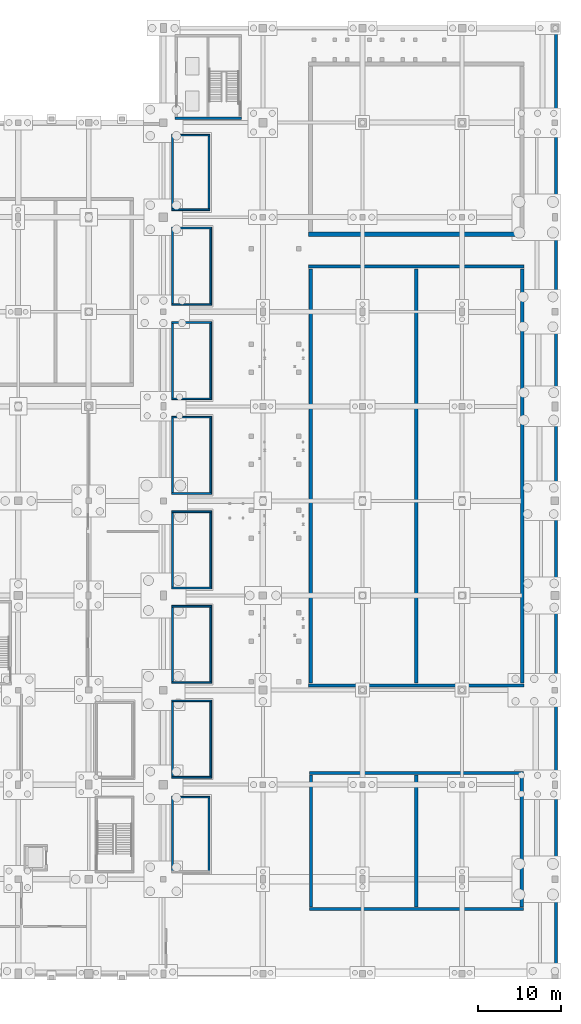
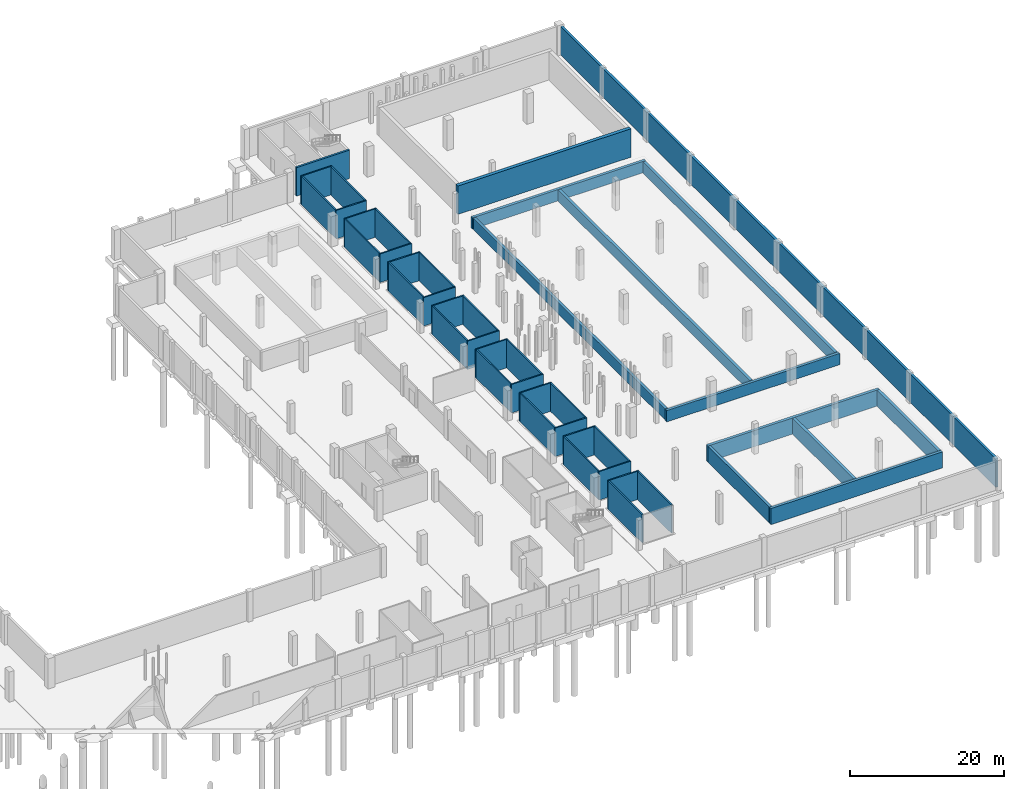
# One storey, part 28 of 34: 44 walls.
"""IFC4 building model written with IfcOpenShell, lengths in metres."""

from ifc_helpers import new_model, si_unit, direction, frame, frame_2d, origin, place, context, subcontext, project, spatial, rectangle, extrude, material, layer, layer_set, type_object, element, save


model = new_model("IFC4")

# Units and contexts
model_context = context("Model", 3, precision=1e-05, world=origin(), true_north=direction((0.0, 1.0)))
body_context = subcontext(model_context, "Body", "Model", "MODEL_VIEW")
ifc_project = project(units=[si_unit("LENGTHUNIT", "METRE"), si_unit("AREAUNIT", "SQUARE_METRE"), si_unit("VOLUMEUNIT", "CUBIC_METRE"), si_unit("PLANEANGLEUNIT", "RADIAN"), si_unit("MASSUNIT", "GRAM", prefix="KILO"), si_unit("POWERUNIT", "WATT"), si_unit("THERMODYNAMICTEMPERATUREUNIT", "KELVIN")], contexts=[model_context])

# Site, building, storey
site_placement = place(None, origin())
site = spatial("IfcSite", under=ifc_project, at=site_placement, CompositionType="ELEMENT")
building_placement = place(site_placement, origin())
building = spatial("IfcBuilding", under=site, at=building_placement, Name="Kelmbourne Parkland Aquatics Centre", CompositionType="ELEMENT")
storey_placement = place(building_placement, frame((0.0, 0.0, -4.800048828125)))
storey = spatial("IfcBuildingStorey", under=building, at=storey_placement, Name="B1", CompositionType="ELEMENT", Elevation=-4.800048828125)

# Walls
ifc_material_1 = material(Name="Concrete C40/50", Category="concrete")
ifc_layer_1 = layer(ifc_material_1, 0.300048828125)
ifc_layer_set_1 = layer_set([ifc_layer_1], Name="Concrete C40/50")
wall_type_1 = type_object("IfcWallType", Name="W-CORE-300", PredefinedType="SHEAR", material=ifc_layer_set_1)
wall_1_placement = place(storey_placement, frame((129.39990234375, 103.949951171875, 0.0), z_axis=(0.0, 0.0, 1.0), x_axis=(1.0, 0.0, 0.0)))
element("IfcWall", 1, at=wall_1_placement, inside=storey, type_object=wall_type_1, Name="North Diving Control Fire-Fighting Core south wall (B1)", PredefinedType="SHEAR", context=body_context, shape_type="SweptSolid", body=[
    extrude(rectangle(XDim=8.0, YDim=0.300048828125, at=frame_2d((4.0, 0.0))), origin(), (0.0, 0.0, 1.0), 4.52001953125),
])
ifc_material_2 = material(Name="Concrete blockwork C32/40", Category="masonry")
ifc_layer_2 = layer(ifc_material_2, 0.199951171875)
ifc_layer_set_2 = layer_set([ifc_layer_2], Name="Concrete blockwork C32/40")
wall_type_2 = type_object("IfcWallType", Name="W-FIRE-200", PredefinedType="SOLIDWALL", material=ifc_layer_set_2)
wall_2_placement = place(storey_placement, frame((129.0, 22.10009765625, 0.0), z_axis=(0.0, 0.0, 1.0), x_axis=(1.0, 0.0, 0.0)))
element("IfcWall", 2, at=wall_2_placement, inside=storey, type_object=wall_type_2, Name="Main Bowl South Concourse Exit Stair substructure wall N", PredefinedType="SOLIDWALL", context=body_context, shape_type="SweptSolid", body=[
    extrude(rectangle(XDim=4.60009765625, YDim=0.199951171875, at=frame_2d((2.300048828125, 0.0))), origin(), (0.0, 0.0, 1.0), 4.52001953125),
])
for number, where, z_axis, x_axis, name in (
    (3, (129.10009765625, 13.199951171875, 0.0), (0.0, 0.0, 1.0), (0.0, 1.0, 0.0), "Main Bowl South Concourse Exit Stair substructure wall W"),
    (4, (133.5, 13.199951171875, 0.0), (0.0, 0.0, 1.0), (0.0, 1.0, 0.0), "Main Bowl South Concourse Exit Stair substructure wall E"),
):
    element("IfcWall", number, at=place(storey_placement, frame(where, z_axis=z_axis, x_axis=x_axis)), inside=storey, type_object=wall_type_2, Name=name, PredefinedType="SOLIDWALL", context=body_context, shape_type="SweptSolid", body=[
        extrude(rectangle(XDim=8.800048828125, YDim=0.199951171875, at=frame_2d((4.39990234375, 0.0))), origin(), (0.0, 0.0, 1.0), 4.52001953125),
    ])
for number, where, z_axis, x_axis, name in (
    (5, (129.0, 92.89990234375, 0.0), (0.0, 0.0, 1.0), (1.0, 0.0, 0.0), "Main Bowl North Concourse Exit Stair substructure wall S"),
    (6, (129.0, 101.89990234375, 0.0), (0.0, 0.0, 1.0), (1.0, 0.0, 0.0), "Main Bowl North Concourse Exit Stair substructure wall N"),
):
    element("IfcWall", number, at=place(storey_placement, frame(where, z_axis=z_axis, x_axis=x_axis)), inside=storey, type_object=wall_type_2, Name=name, PredefinedType="SOLIDWALL", context=body_context, shape_type="SweptSolid", body=[
        extrude(rectangle(XDim=4.60009765625, YDim=0.199951171875, at=frame_2d((2.300048828125, 0.0))), origin(), (0.0, 0.0, 1.0), 4.52001953125),
    ])
for number, where, z_axis, x_axis, name in (
    (7, (129.10009765625, 93.0, 0.0), (0.0, 0.0, 1.0), (0.0, 1.0, 0.0), "Main Bowl North Concourse Exit Stair substructure wall W"),
    (8, (133.5, 93.0, 0.0), (0.0, 0.0, 1.0), (0.0, 1.0, 0.0), "Main Bowl North Concourse Exit Stair substructure wall E"),
):
    element("IfcWall", number, at=place(storey_placement, frame(where, z_axis=z_axis, x_axis=x_axis)), inside=storey, type_object=wall_type_2, Name=name, PredefinedType="SOLIDWALL", context=body_context, shape_type="SweptSolid", body=[
        extrude(rectangle(XDim=8.800048828125, YDim=0.199951171875, at=frame_2d((4.39990234375, 0.0))), origin(), (0.0, 0.0, 1.0), 4.52001953125),
    ])
for number, where, z_axis, x_axis, name in (
    (9, (129.0, 24.5, 0.0), (0.0, 0.0, 1.0), (1.0, 0.0, 0.0), "Spectator Bowl Exit Stair Bay 3 substructure wall S"),
    (10, (129.0, 33.699951171875, 0.0), (0.0, 0.0, 1.0), (1.0, 0.0, 0.0), "Spectator Bowl Exit Stair Bay 3 substructure wall N"),
):
    element("IfcWall", number, at=place(storey_placement, frame(where, z_axis=z_axis, x_axis=x_axis)), inside=storey, type_object=wall_type_2, Name=name, PredefinedType="SOLIDWALL", context=body_context, shape_type="SweptSolid", body=[
        extrude(rectangle(XDim=4.800048828125, YDim=0.199951171875, at=frame_2d((2.39990234375, 0.0))), origin(), (0.0, 0.0, 1.0), 4.52001953125),
    ])
for number, where, z_axis, x_axis, name in (
    (11, (129.10009765625, 24.60009765625, 0.0), (0.0, 0.0, 1.0), (0.0, 1.0, 0.0), "Spectator Bowl Exit Stair Bay 3 substructure wall W"),
    (12, (133.699951171875, 24.60009765625, 0.0), (0.0, 0.0, 1.0), (0.0, 1.0, 0.0), "Spectator Bowl Exit Stair Bay 3 substructure wall E"),
):
    element("IfcWall", number, at=place(storey_placement, frame(where, z_axis=z_axis, x_axis=x_axis)), inside=storey, type_object=wall_type_2, Name=name, PredefinedType="SOLIDWALL", context=body_context, shape_type="SweptSolid", body=[
        extrude(rectangle(XDim=9.0, YDim=0.199951171875, at=frame_2d((4.5, 0.0))), origin(), (0.0, 0.0, 1.0), 4.52001953125),
    ])
for number, where, z_axis, x_axis, name in (
    (13, (129.0, 35.89990234375, 0.0), (0.0, 0.0, 1.0), (1.0, 0.0, 0.0), "Spectator Bowl Exit Stair Bay 4 substructure wall S"),
    (14, (129.0, 45.10009765625, 0.0), (0.0, 0.0, 1.0), (1.0, 0.0, 0.0), "Spectator Bowl Exit Stair Bay 4 substructure wall N"),
):
    element("IfcWall", number, at=place(storey_placement, frame(where, z_axis=z_axis, x_axis=x_axis)), inside=storey, type_object=wall_type_2, Name=name, PredefinedType="SOLIDWALL", context=body_context, shape_type="SweptSolid", body=[
        extrude(rectangle(XDim=4.800048828125, YDim=0.199951171875, at=frame_2d((2.39990234375, 0.0))), origin(), (0.0, 0.0, 1.0), 4.52001953125),
    ])
for number, where, z_axis, x_axis, name in (
    (15, (129.10009765625, 36.0, 0.0), (0.0, 0.0, 1.0), (0.0, 1.0, 0.0), "Spectator Bowl Exit Stair Bay 4 substructure wall W"),
    (16, (133.699951171875, 36.0, 0.0), (0.0, 0.0, 1.0), (0.0, 1.0, 0.0), "Spectator Bowl Exit Stair Bay 4 substructure wall E"),
):
    element("IfcWall", number, at=place(storey_placement, frame(where, z_axis=z_axis, x_axis=x_axis)), inside=storey, type_object=wall_type_2, Name=name, PredefinedType="SOLIDWALL", context=body_context, shape_type="SweptSolid", body=[
        extrude(rectangle(XDim=9.0, YDim=0.199951171875, at=frame_2d((4.5, 0.0))), origin(), (0.0, 0.0, 1.0), 4.52001953125),
    ])
for number, where, z_axis, x_axis, name in (
    (17, (129.0, 47.300048828125, 0.0), (0.0, 0.0, 1.0), (1.0, 0.0, 0.0), "Spectator Bowl Exit Stair Bay 5 substructure wall S"),
    (18, (129.0, 56.5, 0.0), (0.0, 0.0, 1.0), (1.0, 0.0, 0.0), "Spectator Bowl Exit Stair Bay 5 substructure wall N"),
):
    element("IfcWall", number, at=place(storey_placement, frame(where, z_axis=z_axis, x_axis=x_axis)), inside=storey, type_object=wall_type_2, Name=name, PredefinedType="SOLIDWALL", context=body_context, shape_type="SweptSolid", body=[
        extrude(rectangle(XDim=4.800048828125, YDim=0.199951171875, at=frame_2d((2.39990234375, 0.0))), origin(), (0.0, 0.0, 1.0), 4.52001953125),
    ])
for number, where, z_axis, x_axis, name in (
    (19, (129.10009765625, 47.39990234375, 0.0), (0.0, 0.0, 1.0), (0.0, 1.0, 0.0), "Spectator Bowl Exit Stair Bay 5 substructure wall W"),
    (20, (133.699951171875, 47.39990234375, 0.0), (0.0, 0.0, 1.0), (0.0, 1.0, 0.0), "Spectator Bowl Exit Stair Bay 5 substructure wall E"),
):
    element("IfcWall", number, at=place(storey_placement, frame(where, z_axis=z_axis, x_axis=x_axis)), inside=storey, type_object=wall_type_2, Name=name, PredefinedType="SOLIDWALL", context=body_context, shape_type="SweptSolid", body=[
        extrude(rectangle(XDim=9.0, YDim=0.199951171875, at=frame_2d((4.5, 0.0))), origin(), (0.0, 0.0, 1.0), 4.52001953125),
    ])
for number, where, z_axis, x_axis, name in (
    (21, (129.0, 58.699951171875, 0.0), (0.0, 0.0, 1.0), (1.0, 0.0, 0.0), "Spectator Bowl Exit Stair Bay 6 substructure wall S"),
    (22, (129.0, 67.89990234375, 0.0), (0.0, 0.0, 1.0), (1.0, 0.0, 0.0), "Spectator Bowl Exit Stair Bay 6 substructure wall N"),
):
    element("IfcWall", number, at=place(storey_placement, frame(where, z_axis=z_axis, x_axis=x_axis)), inside=storey, type_object=wall_type_2, Name=name, PredefinedType="SOLIDWALL", context=body_context, shape_type="SweptSolid", body=[
        extrude(rectangle(XDim=4.800048828125, YDim=0.199951171875, at=frame_2d((2.39990234375, 0.0))), origin(), (0.0, 0.0, 1.0), 4.52001953125),
    ])
for number, where, z_axis, x_axis, name in (
    (23, (129.10009765625, 58.800048828125, 0.0), (0.0, 0.0, 1.0), (0.0, 1.0, 0.0), "Spectator Bowl Exit Stair Bay 6 substructure wall W"),
    (24, (133.699951171875, 58.800048828125, 0.0), (0.0, 0.0, 1.0), (0.0, 1.0, 0.0), "Spectator Bowl Exit Stair Bay 6 substructure wall E"),
):
    element("IfcWall", number, at=place(storey_placement, frame(where, z_axis=z_axis, x_axis=x_axis)), inside=storey, type_object=wall_type_2, Name=name, PredefinedType="SOLIDWALL", context=body_context, shape_type="SweptSolid", body=[
        extrude(rectangle(XDim=9.0, YDim=0.199951171875, at=frame_2d((4.5, 0.0))), origin(), (0.0, 0.0, 1.0), 4.52001953125),
    ])
for number, where, z_axis, x_axis, name in (
    (25, (129.0, 70.10009765625, 0.0), (0.0, 0.0, 1.0), (1.0, 0.0, 0.0), "Spectator Bowl Exit Stair Bay 7 substructure wall S"),
    (26, (129.0, 79.300048828125, 0.0), (0.0, 0.0, 1.0), (1.0, 0.0, 0.0), "Spectator Bowl Exit Stair Bay 7 substructure wall N"),
):
    element("IfcWall", number, at=place(storey_placement, frame(where, z_axis=z_axis, x_axis=x_axis)), inside=storey, type_object=wall_type_2, Name=name, PredefinedType="SOLIDWALL", context=body_context, shape_type="SweptSolid", body=[
        extrude(rectangle(XDim=4.800048828125, YDim=0.199951171875, at=frame_2d((2.39990234375, 0.0))), origin(), (0.0, 0.0, 1.0), 4.52001953125),
    ])
for number, where, z_axis, x_axis, name in (
    (27, (129.10009765625, 70.199951171875, 0.0), (0.0, 0.0, 1.0), (0.0, 1.0, 0.0), "Spectator Bowl Exit Stair Bay 7 substructure wall W"),
    (28, (133.699951171875, 70.199951171875, 0.0), (0.0, 0.0, 1.0), (0.0, 1.0, 0.0), "Spectator Bowl Exit Stair Bay 7 substructure wall E"),
):
    element("IfcWall", number, at=place(storey_placement, frame(where, z_axis=z_axis, x_axis=x_axis)), inside=storey, type_object=wall_type_2, Name=name, PredefinedType="SOLIDWALL", context=body_context, shape_type="SweptSolid", body=[
        extrude(rectangle(XDim=9.0, YDim=0.199951171875, at=frame_2d((4.5, 0.0))), origin(), (0.0, 0.0, 1.0), 4.52001953125),
    ])
for number, where, z_axis, x_axis, name in (
    (29, (129.0, 81.5, 0.0), (0.0, 0.0, 1.0), (1.0, 0.0, 0.0), "Spectator Bowl Exit Stair Bay 8 substructure wall S"),
    (30, (129.0, 90.699951171875, 0.0), (0.0, 0.0, 1.0), (1.0, 0.0, 0.0), "Spectator Bowl Exit Stair Bay 8 substructure wall N"),
):
    element("IfcWall", number, at=place(storey_placement, frame(where, z_axis=z_axis, x_axis=x_axis)), inside=storey, type_object=wall_type_2, Name=name, PredefinedType="SOLIDWALL", context=body_context, shape_type="SweptSolid", body=[
        extrude(rectangle(XDim=4.800048828125, YDim=0.199951171875, at=frame_2d((2.39990234375, 0.0))), origin(), (0.0, 0.0, 1.0), 4.52001953125),
    ])
for number, where, z_axis, x_axis, name in (
    (31, (129.10009765625, 81.60009765625, 0.0), (0.0, 0.0, 1.0), (0.0, 1.0, 0.0), "Spectator Bowl Exit Stair Bay 8 substructure wall W"),
    (32, (133.699951171875, 81.60009765625, 0.0), (0.0, 0.0, 1.0), (0.0, 1.0, 0.0), "Spectator Bowl Exit Stair Bay 8 substructure wall E"),
):
    element("IfcWall", number, at=place(storey_placement, frame(where, z_axis=z_axis, x_axis=x_axis)), inside=storey, type_object=wall_type_2, Name=name, PredefinedType="SOLIDWALL", context=body_context, shape_type="SweptSolid", body=[
        extrude(rectangle(XDim=9.0, YDim=0.199951171875, at=frame_2d((4.5, 0.0))), origin(), (0.0, 0.0, 1.0), 4.52001953125),
    ])
ifc_layer_3 = layer(ifc_material_1, 0.35009765625)
ifc_layer_set_3 = layer_set([ifc_layer_3], Name="Concrete C40/50")
wall_type_3 = type_object("IfcWallType", Name="W-RET-350", PredefinedType="SHEAR", material=ifc_layer_set_3)
wall_3_placement = place(storey_placement, frame((175.35009765625, 1.10009765625, 0.0), z_axis=(0.0, 0.0, 1.0), x_axis=(0.0, 1.0, 0.0)))
element("IfcWall", 33, at=wall_3_placement, inside=storey, type_object=wall_type_3, Name="Basement retaining wall RET-E1", PredefinedType="SHEAR", context=body_context, shape_type="SweptSolid", body=[
    extrude(rectangle(XDim=113.2998046875, YDim=0.35009765625, at=frame_2d((56.64990234375, 0.0))), origin(), (0.0, 0.0, 1.0), 4.52001953125),
])
ifc_material_3 = material(Name="Waterproof concrete C50/60", Category="concrete")
ifc_layer_4 = layer(ifc_material_3, 0.39990234375)
ifc_layer_set_4 = layer_set([ifc_layer_4], Name="Waterproof concrete C50/60")
wall_type_4 = type_object("IfcWallType", Name="W-TANK-400", PredefinedType="SHEAR", material=ifc_layer_set_4)
for number, where, z_axis, x_axis, name in (
    (34, (145.5, 35.550048828125, 0.0), (0.0, 0.0, 1.0), (1.0, 0.0, 0.0), "50m Competition Pool Tank undercroft support wall S"),
    (35, (145.5, 86.050048828125, 0.0), (0.0, 0.0, 1.0), (1.0, 0.0, 0.0), "50m Competition Pool Tank undercroft support wall N"),
):
    element("IfcWall", number, at=place(storey_placement, frame(where, z_axis=z_axis, x_axis=x_axis)), inside=storey, type_object=wall_type_4, Name=name, PredefinedType="SHEAR", context=body_context, shape_type="SweptSolid", body=[
        extrude(rectangle(XDim=26.0, YDim=0.39990234375, at=frame_2d((13.0, 0.0))), origin(), (0.0, 0.0, 1.0), 1.800048828125),
    ])
for number, where, z_axis, x_axis, name in (
    (36, (145.75, 35.85009765625, 0.0), (0.0, 0.0, 1.0), (0.0, 1.0, 0.0), "50m Competition Pool Tank undercroft support wall W"),
    (37, (171.25, 35.85009765625, 0.0), (0.0, 0.0, 1.0), (0.0, 1.0, 0.0), "50m Competition Pool Tank undercroft support wall E"),
    (38, (158.5, 35.85009765625, 0.0), (0.0, 0.0, 1.0), (0.0, 1.0, 0.0), "50m Competition Pool Tank undercroft support wall M"),
):
    element("IfcWall", number, at=place(storey_placement, frame(where, z_axis=z_axis, x_axis=x_axis)), inside=storey, type_object=wall_type_4, Name=name, PredefinedType="SHEAR", context=body_context, shape_type="SweptSolid", body=[
        extrude(rectangle(XDim=49.89990234375, YDim=0.39990234375, at=frame_2d((24.949951171875, 0.0))), origin(), (0.0, 0.0, 1.0), 1.800048828125),
    ])
for number, where, z_axis, x_axis, name in (
    (39, (145.60009765625, 8.60009765625, 0.0), (0.0, 0.0, 1.0), (1.0, 0.0, 0.0), "25m Warm-Up and Training Pool Tank undercroft support wall S"),
    (40, (145.60009765625, 25.0, 0.0), (0.0, 0.0, 1.0), (1.0, 0.0, 0.0), "25m Warm-Up and Training Pool Tank undercroft support wall N"),
):
    element("IfcWall", number, at=place(storey_placement, frame(where, z_axis=z_axis, x_axis=x_axis)), inside=storey, type_object=wall_type_4, Name=name, PredefinedType="SHEAR", context=body_context, shape_type="SweptSolid", body=[
        extrude(rectangle(XDim=25.7998046875, YDim=0.39990234375, at=frame_2d((12.89990234375, 0.0))), origin(), (0.0, 0.0, 1.0), 2.550048828125),
    ])
for number, where, z_axis, x_axis, name in (
    (41, (145.800048828125, 8.85009765625, 0.0), (0.0, 0.0, 1.0), (0.0, 1.0, 0.0), "25m Warm-Up and Training Pool Tank undercroft support wall W"),
    (42, (171.199951171875, 8.85009765625, 0.0), (0.0, 0.0, 1.0), (0.0, 1.0, 0.0), "25m Warm-Up and Training Pool Tank undercroft support wall E"),
    (43, (158.5, 8.85009765625, 0.0), (0.0, 0.0, 1.0), (0.0, 1.0, 0.0), "25m Warm-Up and Training Pool Tank undercroft support wall M"),
):
    element("IfcWall", number, at=place(storey_placement, frame(where, z_axis=z_axis, x_axis=x_axis)), inside=storey, type_object=wall_type_4, Name=name, PredefinedType="SHEAR", context=body_context, shape_type="SweptSolid", body=[
        extrude(rectangle(XDim=15.89990234375, YDim=0.39990234375, at=frame_2d((7.949951171875, 0.0))), origin(), (0.0, 0.0, 1.0), 2.550048828125),
    ])
ifc_layer_5 = layer(ifc_material_3, 0.5)
ifc_layer_set_5 = layer_set([ifc_layer_5], Name="Waterproof concrete C50/60")
wall_type_5 = type_object("IfcWallType", Name="W-TANK-500", PredefinedType="SHEAR", material=ifc_layer_set_5)
wall_4_placement = place(storey_placement, frame((145.5, 89.949951171875, 0.0), z_axis=(0.0, 0.0, 1.0), x_axis=(1.0, 0.0, 0.0)))
element("IfcWall", 44, at=wall_4_placement, inside=storey, type_object=wall_type_5, Name="25x20m Diving Pool Tank tank wall S", PredefinedType="SHEAR", context=body_context, shape_type="SweptSolid", body=[
    extrude(rectangle(XDim=26.0, YDim=0.5, at=frame_2d((13.0, 0.0))), origin(), (0.0, 0.0, 1.0), 4.52001953125),
])

save(model, "model.ifc")
